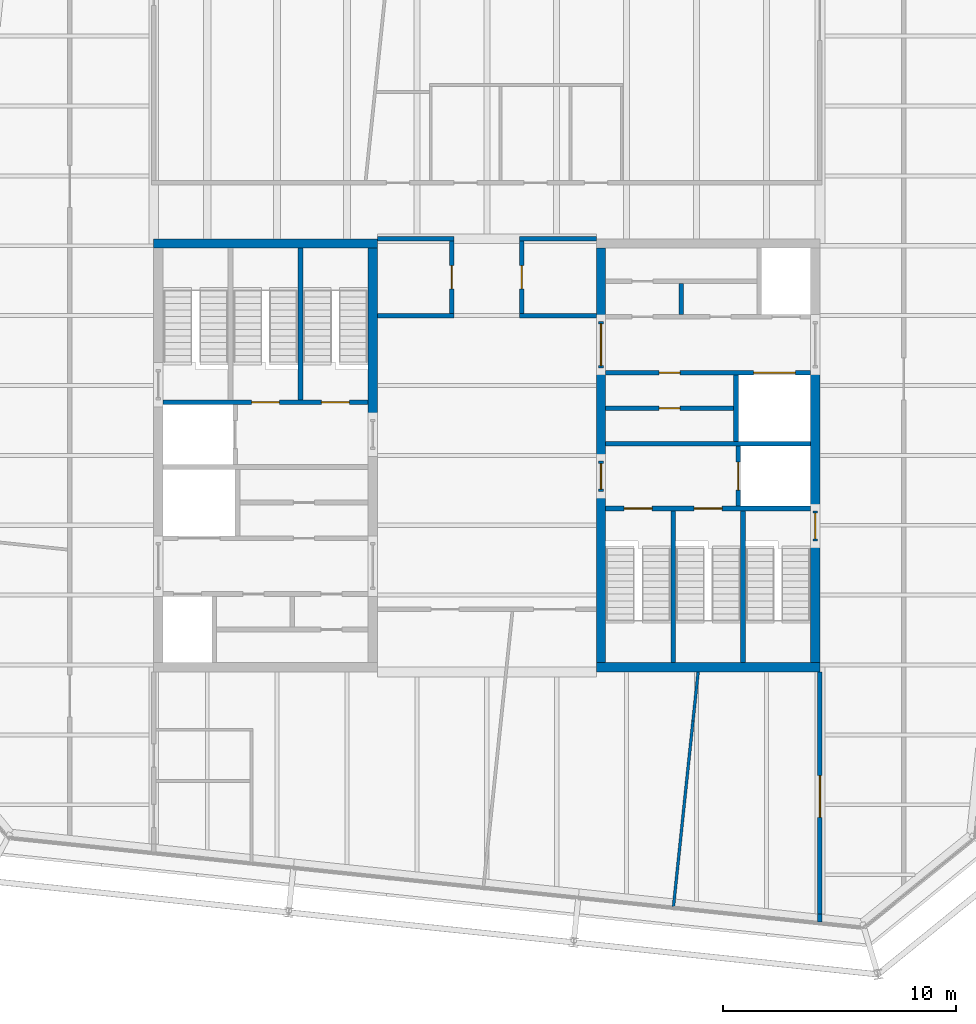
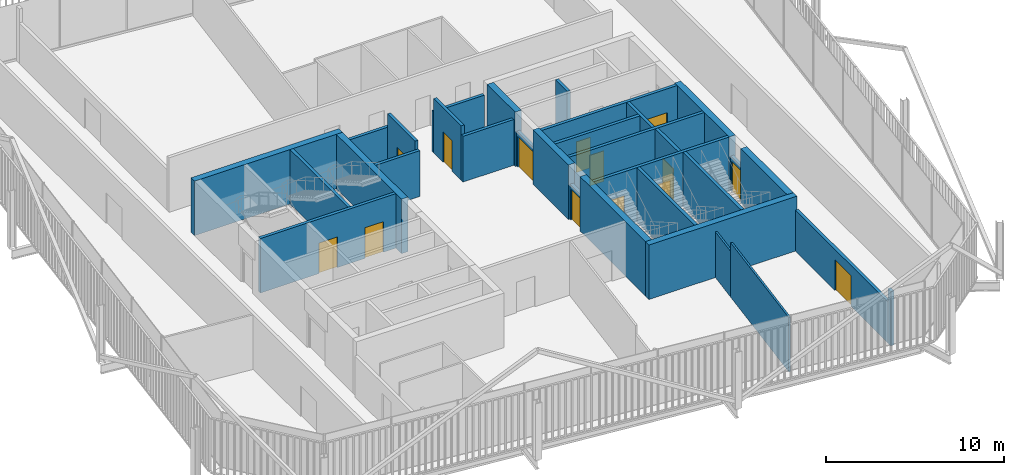
# One storey, part 18 of 21: 32 walls, 14 doors, 14 openings.
"""IFC4 building model written with IfcOpenShell, lengths in metres."""

from ifc_helpers import new_model, si_unit, direction, frame, frame_2d, origin, place, context, subcontext, project, spatial, rectangle, extrude, material, layer, layer_set, type_object, element, fill, save


model = new_model("IFC4")

# Units and contexts
model_context = context("Model", 3, precision=1e-05, world=origin(), true_north=direction((0.0, 1.0)))
body_context = subcontext(model_context, "Body", "Model", "MODEL_VIEW")
ifc_project = project(units=[si_unit("LENGTHUNIT", "METRE"), si_unit("AREAUNIT", "SQUARE_METRE"), si_unit("VOLUMEUNIT", "CUBIC_METRE"), si_unit("PLANEANGLEUNIT", "RADIAN"), si_unit("MASSUNIT", "GRAM", prefix="KILO")], contexts=[model_context])

# Site, building, storey
site_placement = place(None, origin())
site = spatial("IfcSite", under=ifc_project, at=site_placement, CompositionType="ELEMENT")
building_placement = place(site_placement, origin())
building = spatial("IfcBuilding", under=site, at=building_placement, Name="Millrace Tower", CompositionType="ELEMENT")
storey_placement = place(building_placement, frame((0.0, 0.0, 318.699951171875)))
storey = spatial("IfcBuildingStorey", under=building, at=storey_placement, Name="L73", CompositionType="ELEMENT", Elevation=318.699951171875)

# Walls
ifc_material_1 = material(Name="Concrete C60", Category="concrete")
ifc_layer_1 = layer(ifc_material_1, 0.39990234375)
ifc_layer_set_1 = layer_set([ifc_layer_1], Name="Concrete C60")
wall_type_1 = type_object("IfcWallType", Name="Core wall 400 Concrete C60", PredefinedType="SHEAR", material=ifc_layer_set_1)
wall_1_placement = place(storey_placement, frame((-14.300048828125, 9.10009765625, 0.0), z_axis=(0.0, 0.0, 1.0), x_axis=(1.0, 0.0, 0.0)))
element("IfcWall", 1, at=wall_1_placement, inside=storey, type_object=wall_type_1, Name="Core wall W L73", PredefinedType="SHEAR", context=body_context, shape_type="SweptSolid", body=[
    extrude(rectangle(XDim=9.60009765625, YDim=0.39990234375, at=frame_2d((4.800048828125, 0.0))), origin(), (0.0, 0.0, 1.0), 3.739990234375),
])
wall_2_placement = place(storey_placement, frame((-4.89990234375, 1.550048828125, 0.0), z_axis=(0.0, 0.0, 1.0), x_axis=(0.0, 1.0, 0.0)))
element("IfcWall", 2, at=wall_2_placement, inside=storey, type_object=wall_type_1, Name="Core wall W L73", PredefinedType="SHEAR", context=body_context, shape_type="SweptSolid", body=[
    extrude(rectangle(XDim=7.349853515625, YDim=0.39990234375, at=frame_2d((3.6748046875, 0.0))), origin(), (0.0, 0.0, 1.0), 3.739990234375),
])
wall_3_placement = place(storey_placement, frame((14.300048828125, -9.10009765625, 0.0), z_axis=(0.0, 0.0, 1.0), x_axis=(-1.0, 0.0, 0.0)))
element("IfcWall", 3, at=wall_3_placement, inside=storey, type_object=wall_type_1, Name="Core wall E L73", PredefinedType="SHEAR", context=body_context, shape_type="SweptSolid", body=[
    extrude(rectangle(XDim=9.60009765625, YDim=0.39990234375, at=frame_2d((4.800048828125, 0.0))), origin(), (0.0, 0.0, 1.0), 3.739990234375),
])
wall_4_placement = place(storey_placement, frame((14.10009765625, 3.75, 0.0), z_axis=(0.0, 0.0, 1.0), x_axis=(0.0, -1.0, 0.0)))
element("IfcWall", 4, at=wall_4_placement, inside=storey, type_object=wall_type_1, Name="Core wall E L73", PredefinedType="SHEAR", context=body_context, shape_type="SweptSolid", body=[
    extrude(rectangle(XDim=6.1298828125, YDim=0.39990234375, at=frame_2d((3.06494140625, 0.0))), origin(), (0.0, 0.0, 1.0), 3.739990234375),
])
wall_5_placement = place(storey_placement, frame((14.10009765625, -3.679931640625, 0.0), z_axis=(0.0, 0.0, 1.0), x_axis=(0.0, -1.0, 0.0)))
element("IfcWall", 5, at=wall_5_placement, inside=storey, type_object=wall_type_1, Name="Core wall E L73", PredefinedType="SHEAR", context=body_context, shape_type="SweptSolid", body=[
    extrude(rectangle(XDim=5.219970703125, YDim=0.39990234375, at=frame_2d((2.60986328125, 0.0))), origin(), (0.0, 0.0, 1.0), 3.739990234375),
])
wall_6_placement = place(storey_placement, frame((4.89990234375, 8.89990234375, 0.0), z_axis=(0.0, 0.0, 1.0), x_axis=(0.0, -1.0, 0.0)))
element("IfcWall", 6, at=wall_6_placement, inside=storey, type_object=wall_type_1, Name="Core wall E L73", PredefinedType="SHEAR", context=body_context, shape_type="SweptSolid", body=[
    extrude(rectangle(XDim=3.14990234375, YDim=0.39990234375, at=frame_2d((1.574951171875, 0.0))), origin(), (0.0, 0.0, 1.0), 3.739990234375),
])
wall_7_placement = place(storey_placement, frame((4.89990234375, 3.75, 0.0), z_axis=(0.0, 0.0, 1.0), x_axis=(0.0, -1.0, 0.0)))
element("IfcWall", 7, at=wall_7_placement, inside=storey, type_object=wall_type_1, Name="Core wall E L73", PredefinedType="SHEAR", context=body_context, shape_type="SweptSolid", body=[
    extrude(rectangle(XDim=4.0, YDim=0.39990234375, at=frame_2d((2.0, 0.0))), origin(), (0.0, 0.0, 1.0), 3.739990234375),
])
wall_8_placement = place(storey_placement, frame((4.89990234375, -1.550048828125, 0.0), z_axis=(0.0, 0.0, 1.0), x_axis=(0.0, -1.0, 0.0)))
element("IfcWall", 8, at=wall_8_placement, inside=storey, type_object=wall_type_1, Name="Core wall E L73", PredefinedType="SHEAR", context=body_context, shape_type="SweptSolid", body=[
    extrude(rectangle(XDim=7.349853515625, YDim=0.39990234375, at=frame_2d((3.6748046875, 0.0))), origin(), (0.0, 0.0, 1.0), 3.739990234375),
])
ifc_material_2 = material(Name="Masonry partition, fire-rated", Category="masonry")
ifc_layer_2 = layer(ifc_material_2, 0.199951171875)
ifc_layer_set_2 = layer_set([ifc_layer_2], Name="Masonry partition, fire-rated")
wall_type_2 = type_object("IfcWallType", Name="Corridor wall 200", PredefinedType="PARTITIONING", material=ifc_layer_set_2)
for number, where, z_axis, x_axis, name in (
    (9, (-4.699951171875, 6.0, 0.0), (0.0, 0.0, 1.0), (1.0, 0.0, 0.0), "Corridor wall L73"),
    (10, (1.39990234375, 6.0, 0.0), (0.0, 0.0, 1.0), (1.0, 0.0, 0.0), "Corridor wall L73"),
):
    element("IfcWall", number, at=place(storey_placement, frame(where, z_axis=z_axis, x_axis=x_axis)), inside=storey, type_object=wall_type_2, Name=name, PredefinedType="PARTITIONING", context=body_context, shape_type="SweptSolid", body=[
        extrude(rectangle(XDim=3.300048828125, YDim=0.199951171875, at=frame_2d((1.64990234375, 0.0))), origin(), (0.0, 0.0, 1.0), 3.140625),
    ])
for number, where, z_axis, x_axis, name in (
    (11, (-4.699951171875, 9.300048828125, 0.0), (0.0, 0.0, 1.0), (1.0, 0.0, 0.0), "Corridor wall L73"),
    (12, (1.39990234375, 9.300048828125, 0.0), (0.0, 0.0, 1.0), (1.0, 0.0, 0.0), "Corridor wall L73"),
):
    element("IfcWall", number, at=place(storey_placement, frame(where, z_axis=z_axis, x_axis=x_axis)), inside=storey, type_object=wall_type_2, Name=name, PredefinedType="PARTITIONING", context=body_context, shape_type="SweptSolid", body=[
        extrude(rectangle(XDim=3.300048828125, YDim=0.199951171875, at=frame_2d((1.64990234375, 0.0))), origin(), (0.0, 0.0, 1.0), 2.81298828125),
    ])
wall_9_placement = place(storey_placement, frame((14.300048828125, -20.037353515625, 0.0), z_axis=(0.0, 0.0, 1.0), x_axis=(0.0, 1.0, 0.0)))
element("IfcWall", 13, at=wall_9_placement, inside=storey, type_object=wall_type_2, Name="Corridor wall L73", PredefinedType="PARTITIONING", context=body_context, shape_type="SweptSolid", body=[
    extrude(rectangle(XDim=0.339111328125, YDim=0.199951171875, at=frame_2d((0.16943359375, 0.0))), origin(), (0.0, 0.0, 1.0), 3.739990234375),
])

# Wall, opening, door
wall_10_placement = place(storey_placement, frame((14.300048828125, -19.6982421875, 0.0), z_axis=(0.0, 0.0, 1.0), x_axis=(0.0, 1.0, 0.0)))
wall_10 = element("IfcWall", 14, at=wall_10_placement, inside=storey, type_object=wall_type_2, Name="Corridor wall L73", PredefinedType="PARTITIONING", context=body_context, shape_type="SweptSolid", body=[
    extrude(rectangle(XDim=10.398193359375, YDim=0.199951171875, at=frame_2d((5.19921875, 0.0))), origin(), (0.0, 0.0, 1.0), 2.81298828125),
])
opening_1_placement = place(wall_10_placement, frame((4.15478515625, 0.0, 0.0)))
opening_1 = element("IfcOpeningElement", 15, at=opening_1_placement, cuts=wall_10, Name="Opening 73-P013", PredefinedType="OPENING", context=body_context, shape_type="SweptSolid", body=[
    extrude(rectangle(XDim=1.800048828125, YDim=2.10009765625, at=frame_2d((0.89990234375, 1.050048828125))), frame((0.0, 0.10986328125, 0.0), z_axis=(0.0, -1.0, 0.0), x_axis=(1.0, 0.0, 0.0)), (0.0, 0.0, 1.0), 0.219970703125),
])
ifc_material_3 = material(Name="Steel door set, fire-rated", Category="steel")
door_type_1 = type_object("IfcDoorType", Name="Corridor door 1800 x 2100", OperationType="DOUBLE_DOOR_SINGLE_SWING", PredefinedType="DOOR", material=ifc_material_3)
door_1_placement = place(opening_1_placement, origin())
door_1 = element("IfcDoor", 16, at=door_1_placement, inside=storey, type_object=door_type_1, Name="Door 73-P013", OperationType="DOUBLE_DOOR_SINGLE_SWING", OverallHeight=2.10009765625, OverallWidth=1.800048828125, PredefinedType="DOOR", context=body_context, shape_type="SweptSolid", body=[
    extrude(rectangle(XDim=1.800048828125, YDim=2.10009765625, at=frame_2d((0.89990234375, 1.050048828125))), frame((0.0, 0.02490234375, 0.0), z_axis=(0.0, -1.0, 0.0), x_axis=(1.0, 0.0, 0.0)), (0.0, 0.0, 1.0), 0.050048828125),
])
fill(opening_1, door_1)

wall_11_placement = place(storey_placement, frame((1.5, 6.10009765625, 0.0), z_axis=(0.0, 0.0, 1.0), x_axis=(0.0, 1.0, 0.0)))
wall_11 = element("IfcWall", 17, at=wall_11_placement, inside=storey, type_object=wall_type_2, Name="Corridor wall L73", PredefinedType="PARTITIONING", context=body_context, shape_type="SweptSolid", body=[
    extrude(rectangle(XDim=3.099853515625, YDim=0.199951171875, at=frame_2d((1.5498046875, 0.0))), origin(), (0.0, 0.0, 1.0), 3.739990234375),
])
opening_2_placement = place(wall_11_placement, frame((1.050048828125, 0.0, 0.0)))
opening_2 = element("IfcOpeningElement", 18, at=opening_2_placement, cuts=wall_11, Name="Opening 73-P002", PredefinedType="OPENING", context=body_context, shape_type="SweptSolid", body=[
    extrude(rectangle(XDim=1.0, YDim=2.10009765625, at=frame_2d((0.5, 1.050048828125))), frame((0.0, 0.10986328125, 0.0), z_axis=(0.0, -1.0, 0.0), x_axis=(1.0, 0.0, 0.0)), (0.0, 0.0, 1.0), 0.219970703125),
])
ifc_material_4 = material(Name="Steel door set, fire-rated", Category="steel")
door_type_2 = type_object("IfcDoorType", Name="Corridor door 1000 x 2100", OperationType="SINGLE_SWING_LEFT", PredefinedType="DOOR", material=ifc_material_4)
door_2_placement = place(opening_2_placement, frame((1.0, 0.0, 0.0), z_axis=(0.0, 0.0, 1.0), x_axis=(-1.0, 0.0, 0.0)))
door_2 = element("IfcDoor", 19, at=door_2_placement, inside=storey, type_object=door_type_2, Name="Door 73-P002", OperationType="SINGLE_SWING_RIGHT", OverallHeight=2.10009765625, OverallWidth=1.0, PredefinedType="DOOR", context=body_context, shape_type="SweptSolid", body=[
    extrude(rectangle(XDim=1.0, YDim=2.10009765625, at=frame_2d((0.5, 1.050048828125))), frame((0.0, 0.02490234375, 0.0), z_axis=(0.0, -1.0, 0.0), x_axis=(1.0, 0.0, 0.0)), (0.0, 0.0, 1.0), 0.050048828125),
])
fill(opening_2, door_2)

wall_12_placement = place(storey_placement, frame((-1.5, 6.10009765625, 0.0), z_axis=(0.0, 0.0, 1.0), x_axis=(0.0, 1.0, 0.0)))
wall_12 = element("IfcWall", 20, at=wall_12_placement, inside=storey, type_object=wall_type_2, Name="Corridor wall L73", PredefinedType="PARTITIONING", context=body_context, shape_type="SweptSolid", body=[
    extrude(rectangle(XDim=3.099853515625, YDim=0.199951171875, at=frame_2d((1.5498046875, 0.0))), origin(), (0.0, 0.0, 1.0), 3.739990234375),
])
opening_3_placement = place(wall_12_placement, frame((1.050048828125, 0.0, 0.0)))
opening_3 = element("IfcOpeningElement", 21, at=opening_3_placement, cuts=wall_12, Name="Opening 73-P001", PredefinedType="OPENING", context=body_context, shape_type="SweptSolid", body=[
    extrude(rectangle(XDim=1.0, YDim=2.10009765625, at=frame_2d((0.5, 1.050048828125))), frame((0.0, 0.10986328125, 0.0), z_axis=(0.0, -1.0, 0.0), x_axis=(1.0, 0.0, 0.0)), (0.0, 0.0, 1.0), 0.219970703125),
])
door_3_placement = place(opening_3_placement, origin())
door_3 = element("IfcDoor", 22, at=door_3_placement, inside=storey, type_object=door_type_2, Name="Door 73-P001", OperationType="SINGLE_SWING_LEFT", OverallHeight=2.10009765625, OverallWidth=1.0, PredefinedType="DOOR", context=body_context, shape_type="SweptSolid", body=[
    extrude(rectangle(XDim=1.0, YDim=2.10009765625, at=frame_2d((0.5, 1.050048828125))), frame((0.0, 0.02490234375, 0.0), z_axis=(0.0, -1.0, 0.0), x_axis=(1.0, 0.0, 0.0)), (0.0, 0.0, 1.0), 0.050048828125),
])
fill(opening_3, door_3)

# Wall, openings, doors
ifc_material_5 = material(Name="Masonry partition, fire-rated", Category="masonry")
ifc_layer_3 = layer(ifc_material_5, 0.199951171875)
ifc_layer_set_3 = layer_set([ifc_layer_3], Name="Masonry partition, fire-rated")
wall_type_3 = type_object("IfcWallType", Name="Lift shaft wall 200", PredefinedType="PARTITIONING", material=ifc_layer_set_3)
wall_13_placement = place(storey_placement, frame((13.89990234375, 3.550048828125, 0.0), z_axis=(0.0, 0.0, 1.0), x_axis=(-1.0, 0.0, 0.0)))
wall_13 = element("IfcWall", 23, at=wall_13_placement, inside=storey, type_object=wall_type_3, Name="Lift shaft wall E L73", PredefinedType="PARTITIONING", context=body_context, shape_type="SweptSolid", body=[
    extrude(rectangle(XDim=8.7998046875, YDim=0.199951171875, at=frame_2d((4.39990234375, 0.0))), origin(), (0.0, 0.0, 1.0), 3.739990234375),
])
opening_4_placement = place(wall_13_placement, frame((0.64990234375, 0.0, 0.0)))
opening_4 = element("IfcOpeningElement", 24, at=opening_4_placement, cuts=wall_13, Name="Opening 73-LD13", PredefinedType="OPENING", context=body_context, shape_type="SweptSolid", body=[
    extrude(rectangle(XDim=1.800048828125, YDim=2.10009765625, at=frame_2d((0.89990234375, 1.050048828125))), frame((0.0, 0.10986328125, 0.0), z_axis=(0.0, -1.0, 0.0), x_axis=(1.0, 0.0, 0.0)), (0.0, 0.0, 1.0), 0.219970703125),
])
opening_5_placement = place(wall_13_placement, frame((5.60009765625, 0.0, 0.0)))
opening_5 = element("IfcOpeningElement", 25, at=opening_5_placement, cuts=wall_13, Name="Opening 73-C019", PredefinedType="OPENING", context=body_context, shape_type="SweptSolid", body=[
    extrude(rectangle(XDim=0.89990234375, YDim=2.10009765625, at=frame_2d((0.449951171875, 1.050048828125))), frame((0.0, 0.10986328125, 0.0), z_axis=(0.0, -1.0, 0.0), x_axis=(1.0, 0.0, 0.0)), (0.0, 0.0, 1.0), 0.219970703125),
])
ifc_material_6 = material(Name="Stainless steel, fire-rated", Category="steel")
door_type_3 = type_object("IfcDoorType", Name="Lift landing door 1800 x 2100", OperationType="DOUBLE_DOOR_SLIDING", PredefinedType="DOOR", material=ifc_material_6)
door_4_placement = place(opening_4_placement, origin())
door_4 = element("IfcDoor", 26, at=door_4_placement, inside=storey, type_object=door_type_3, Name="Lift landing door LF13 L73", OperationType="DOUBLE_DOOR_SLIDING", OverallHeight=2.10009765625, OverallWidth=1.800048828125, PredefinedType="DOOR", context=body_context, shape_type="SweptSolid", body=[
    extrude(rectangle(XDim=1.800048828125, YDim=2.10009765625, at=frame_2d((0.89990234375, 1.050048828125))), frame((0.0, 0.02490234375, 0.0), z_axis=(0.0, -1.0, 0.0), x_axis=(1.0, 0.0, 0.0)), (0.0, 0.0, 1.0), 0.050048828125),
])
fill(opening_4, door_4)
ifc_material_7 = material(Name="Steel door, fire-rated", Category="steel")
door_type_4 = type_object("IfcDoorType", Name="Service room door 900 x 2100", OperationType="SINGLE_SWING_LEFT", PredefinedType="DOOR", material=ifc_material_7)
door_5_placement = place(opening_5_placement, frame((0.89990234375, 0.0, 0.0), z_axis=(0.0, 0.0, 1.0), x_axis=(-1.0, 0.0, 0.0)))
door_5 = element("IfcDoor", 27, at=door_5_placement, inside=storey, type_object=door_type_4, Name="Service room door 73-C019", OperationType="SINGLE_SWING_LEFT", OverallHeight=2.10009765625, OverallWidth=0.89990234375, PredefinedType="DOOR", context=body_context, shape_type="SweptSolid", body=[
    extrude(rectangle(XDim=0.89990234375, YDim=2.10009765625, at=frame_2d((0.449951171875, 1.050048828125))), frame((0.0, 0.02490234375, 0.0), z_axis=(0.0, -1.0, 0.0), x_axis=(1.0, 0.0, 0.0)), (0.0, 0.0, 1.0), 0.050048828125),
])
fill(opening_5, door_5)

# Wall
wall_14_placement = place(storey_placement, frame((13.89990234375, 0.5, 0.0), z_axis=(0.0, 0.0, 1.0), x_axis=(-1.0, 0.0, 0.0)))
element("IfcWall", 28, at=wall_14_placement, inside=storey, type_object=wall_type_3, Name="Lift shaft wall E L73", PredefinedType="PARTITIONING", context=body_context, shape_type="SweptSolid", body=[
    extrude(rectangle(XDim=8.7998046875, YDim=0.199951171875, at=frame_2d((4.39990234375, 0.0))), origin(), (0.0, 0.0, 1.0), 3.739990234375),
])

# Wall, opening, door
wall_15_placement = place(storey_placement, frame((10.800048828125, 0.39990234375, 0.0), z_axis=(0.0, 0.0, 1.0), x_axis=(0.0, -1.0, 0.0)))
wall_15 = element("IfcWall", 29, at=wall_15_placement, inside=storey, type_object=wall_type_3, Name="Lift shaft wall E L73", PredefinedType="PARTITIONING", context=body_context, shape_type="SweptSolid", body=[
    extrude(rectangle(XDim=2.579833984375, YDim=0.199951171875, at=frame_2d((1.2900390625, 0.0))), origin(), (0.0, 0.0, 1.0), 3.739990234375),
])
opening_6_placement = place(wall_15_placement, frame((0.68994140625, 0.0, 0.0)))
opening_6 = element("IfcOpeningElement", 30, at=opening_6_placement, cuts=wall_15, Name="Opening 73-LD16", PredefinedType="OPENING", context=body_context, shape_type="SweptSolid", body=[
    extrude(rectangle(XDim=1.199951171875, YDim=2.10009765625, at=frame_2d((0.60009765625, 1.050048828125))), frame((0.0, 0.10986328125, 0.0), z_axis=(0.0, -1.0, 0.0), x_axis=(1.0, 0.0, 0.0)), (0.0, 0.0, 1.0), 0.219970703125),
])
ifc_material_8 = material(Name="Stainless steel, fire-rated", Category="steel")
door_type_5 = type_object("IfcDoorType", Name="Lift landing door 1200 x 2100", OperationType="DOUBLE_DOOR_SLIDING", PredefinedType="DOOR", material=ifc_material_8)
door_6_placement = place(opening_6_placement, origin())
door_6 = element("IfcDoor", 31, at=door_6_placement, inside=storey, type_object=door_type_5, Name="Lift landing door LF16 L73", OperationType="DOUBLE_DOOR_SLIDING", OverallHeight=2.10009765625, OverallWidth=1.199951171875, PredefinedType="DOOR", context=body_context, shape_type="SweptSolid", body=[
    extrude(rectangle(XDim=1.199951171875, YDim=2.10009765625, at=frame_2d((0.60009765625, 1.050048828125))), frame((0.0, 0.02490234375, 0.0), z_axis=(0.0, -1.0, 0.0), x_axis=(1.0, 0.0, 0.0)), (0.0, 0.0, 1.0), 0.050048828125),
])
fill(opening_6, door_6)

# Wall
wall_16_placement = place(storey_placement, frame((10.699951171875, 3.449951171875, 0.0), z_axis=(0.0, 0.0, 1.0), x_axis=(0.0, -1.0, 0.0)))
element("IfcWall", 32, at=wall_16_placement, inside=storey, type_object=wall_type_3, Name="Lift shaft wall E L73", PredefinedType="PARTITIONING", context=body_context, shape_type="SweptSolid", body=[
    extrude(rectangle(XDim=2.849853515625, YDim=0.199951171875, at=frame_2d((1.4248046875, 0.0))), origin(), (0.0, 0.0, 1.0), 3.739990234375),
])

# Wall, opening, door
ifc_material_9 = material(Name="Masonry partition, fire-rated", Category="masonry")
ifc_layer_4 = layer(ifc_material_9, 0.199951171875)
ifc_layer_set_4 = layer_set([ifc_layer_4], Name="Masonry partition, fire-rated")
wall_type_4 = type_object("IfcWallType", Name="Lobby wall 200", PredefinedType="PARTITIONING", material=ifc_layer_set_4)
wall_17_placement = place(storey_placement, frame((4.89990234375, 5.75, 0.0), z_axis=(0.0, 0.0, 1.0), x_axis=(0.0, -1.0, 0.0)))
wall_17 = element("IfcWall", 33, at=wall_17_placement, inside=storey, type_object=wall_type_4, Name="Lobby wall E L73", PredefinedType="PARTITIONING", context=body_context, shape_type="SweptSolid", body=[
    extrude(rectangle(XDim=2.0, YDim=0.199951171875, at=frame_2d((1.0, 0.0))), origin(), (0.0, 0.0, 1.0), 2.400146484375),
])
opening_7_placement = place(wall_17_placement, frame((0.10009765625, 0.0, 0.0)))
opening_7 = element("IfcOpeningElement", 34, at=opening_7_placement, cuts=wall_17, Name="Opening 73-C014", PredefinedType="OPENING", context=body_context, shape_type="SweptSolid", body=[
    extrude(rectangle(XDim=1.800048828125, YDim=2.10009765625, at=frame_2d((0.89990234375, 1.050048828125))), frame((0.0, 0.10986328125, 0.0), z_axis=(0.0, -1.0, 0.0), x_axis=(1.0, 0.0, 0.0)), (0.0, 0.0, 1.0), 0.219970703125),
])
ifc_material_10 = material(Name="Steel door, fire-rated", Category="steel")
door_type_6 = type_object("IfcDoorType", Name="Lobby door 1800 x 2100", OperationType="DOUBLE_DOOR_SINGLE_SWING", PredefinedType="DOOR", material=ifc_material_10)
door_7_placement = place(opening_7_placement, frame((1.800048828125, 0.0, 0.0), z_axis=(0.0, 0.0, 1.0), x_axis=(-1.0, 0.0, 0.0)))
door_7 = element("IfcDoor", 35, at=door_7_placement, inside=storey, type_object=door_type_6, Name="Lobby door 73-C014", OperationType="DOUBLE_DOOR_SINGLE_SWING", OverallHeight=2.10009765625, OverallWidth=1.800048828125, PredefinedType="DOOR", context=body_context, shape_type="SweptSolid", body=[
    extrude(rectangle(XDim=1.800048828125, YDim=2.10009765625, at=frame_2d((0.89990234375, 1.050048828125))), frame((0.0, 0.02490234375, 0.0), z_axis=(0.0, -1.0, 0.0), x_axis=(1.0, 0.0, 0.0)), (0.0, 0.0, 1.0), 0.050048828125),
])
fill(opening_7, door_7)

wall_18_placement = place(storey_placement, frame((4.89990234375, -0.25, 0.0), z_axis=(0.0, 0.0, 1.0), x_axis=(0.0, -1.0, 0.0)))
wall_18 = element("IfcWall", 36, at=wall_18_placement, inside=storey, type_object=wall_type_4, Name="Lobby wall E L73", PredefinedType="PARTITIONING", context=body_context, shape_type="SweptSolid", body=[
    extrude(rectangle(XDim=1.300048828125, YDim=0.199951171875, at=frame_2d((0.64990234375, 0.0))), origin(), (0.0, 0.0, 1.0), 2.400146484375),
])
opening_8_placement = place(wall_18_placement, frame((0.10009765625, 0.0, 0.0)))
opening_8 = element("IfcOpeningElement", 37, at=opening_8_placement, cuts=wall_18, Name="Opening 73-C015", PredefinedType="OPENING", context=body_context, shape_type="SweptSolid", body=[
    extrude(rectangle(XDim=1.10009765625, YDim=2.10009765625, at=frame_2d((0.550048828125, 1.050048828125))), frame((0.0, 0.10986328125, 0.0), z_axis=(0.0, -1.0, 0.0), x_axis=(1.0, 0.0, 0.0)), (0.0, 0.0, 1.0), 0.219970703125),
])
ifc_material_11 = material(Name="Steel door, fire-rated", Category="steel")
door_type_7 = type_object("IfcDoorType", Name="Lobby door 1100 x 2100", OperationType="SINGLE_SWING_LEFT", PredefinedType="DOOR", material=ifc_material_11)
door_8_placement = place(opening_8_placement, frame((1.10009765625, 0.0, 0.0), z_axis=(0.0, 0.0, 1.0), x_axis=(-1.0, 0.0, 0.0)))
door_8 = element("IfcDoor", 38, at=door_8_placement, inside=storey, type_object=door_type_7, Name="Lobby door 73-C015", OperationType="SINGLE_SWING_RIGHT", OverallHeight=2.10009765625, OverallWidth=1.10009765625, PredefinedType="DOOR", context=body_context, shape_type="SweptSolid", body=[
    extrude(rectangle(XDim=1.10009765625, YDim=2.10009765625, at=frame_2d((0.550048828125, 1.050048828125))), frame((0.0, 0.02490234375, 0.0), z_axis=(0.0, -1.0, 0.0), x_axis=(1.0, 0.0, 0.0)), (0.0, 0.0, 1.0), 0.050048828125),
])
fill(opening_8, door_8)

# Walls
ifc_material_12 = material(Name="Gypsum board partition")
ifc_layer_5 = layer(ifc_material_12, 0.1201171875)
ifc_layer_set_5 = layer_set([ifc_layer_5], Name="Gypsum board partition")
wall_type_5 = type_object("IfcWallType", Name="Partition wall 120", PredefinedType="PARTITIONING", material=ifc_layer_set_5)
wall_19_placement = place(storey_placement, frame((8.0126953125, -19.376708984375, 0.0), z_axis=(0.0, 0.0, 1.0), x_axis=(0.104553276341, 0.994519287096, 0.0)))
element("IfcWall", 39, at=wall_19_placement, inside=storey, type_object=wall_type_5, Name="Partition wall L73", PredefinedType="PARTITIONING", context=body_context, shape_type="SweptSolid", body=[
    extrude(rectangle(XDim=8.02099609375, YDim=0.1201171875, at=frame_2d((4.010498046875, 0.0))), origin(), (0.0, 0.0, 1.0), 3.739990234375),
])
wall_20_placement = place(storey_placement, frame((8.851318359375, -11.399658203125, 0.0), z_axis=(0.0, 0.0, 1.0), x_axis=(0.1045403102, 0.994520650134, 0.0)))
element("IfcWall", 40, at=wall_20_placement, inside=storey, type_object=wall_type_5, Name="Partition wall L73", PredefinedType="PARTITIONING", context=body_context, shape_type="SweptSolid", body=[
    extrude(rectangle(XDim=2.111083984375, YDim=0.1201171875, at=frame_2d((1.0556640625, 0.0))), origin(), (0.0, 0.0, 1.0), 3.140625),
])
ifc_material_13 = material(Name="Masonry partition, fire-rated", Category="masonry")
ifc_layer_6 = layer(ifc_material_13, 0.199951171875)
ifc_layer_set_6 = layer_set([ifc_layer_6], Name="Masonry partition, fire-rated")
wall_type_6 = type_object("IfcWallType", Name="Room partition 200", PredefinedType="PARTITIONING", material=ifc_layer_set_6)
wall_21_placement = place(storey_placement, frame((8.35009765625, 7.375, 0.0), z_axis=(0.0, 0.0, 1.0), x_axis=(0.0, -1.0, 0.0)))
element("IfcWall", 41, at=wall_21_placement, inside=storey, type_object=wall_type_6, Name="Room partition E L73", PredefinedType="PARTITIONING", context=body_context, shape_type="SweptSolid", body=[
    extrude(rectangle(XDim=1.324951171875, YDim=0.199951171875, at=frame_2d((0.66259765625, 0.0))), origin(), (0.0, 0.0, 1.0), 3.739990234375),
])

# Wall, opening, door
wall_22_placement = place(storey_placement, frame((10.60009765625, 2.02490234375, 0.0), z_axis=(0.0, 0.0, 1.0), x_axis=(-1.0, 0.0, 0.0)))
wall_22 = element("IfcWall", 42, at=wall_22_placement, inside=storey, type_object=wall_type_6, Name="Room partition E L73", PredefinedType="PARTITIONING", context=body_context, shape_type="SweptSolid", body=[
    extrude(rectangle(XDim=5.5, YDim=0.199951171875, at=frame_2d((2.75, 0.0))), origin(), (0.0, 0.0, 1.0), 3.739990234375),
])
opening_9_placement = place(wall_22_placement, frame((2.300048828125, 0.0, 0.0)))
opening_9 = element("IfcOpeningElement", 43, at=opening_9_placement, cuts=wall_22, Name="Opening 73-C020", PredefinedType="OPENING", context=body_context, shape_type="SweptSolid", body=[
    extrude(rectangle(XDim=0.89990234375, YDim=2.10009765625, at=frame_2d((0.449951171875, 1.050048828125))), frame((0.0, 0.10986328125, 0.0), z_axis=(0.0, -1.0, 0.0), x_axis=(1.0, 0.0, 0.0)), (0.0, 0.0, 1.0), 0.219970703125),
])
door_9_placement = place(opening_9_placement, origin())
door_9 = element("IfcDoor", 44, at=door_9_placement, inside=storey, type_object=door_type_4, Name="Service room door 73-C020", OperationType="SINGLE_SWING_RIGHT", OverallHeight=2.10009765625, OverallWidth=0.89990234375, PredefinedType="DOOR", context=body_context, shape_type="SweptSolid", body=[
    extrude(rectangle(XDim=0.89990234375, YDim=2.10009765625, at=frame_2d((0.449951171875, 1.050048828125))), frame((0.0, 0.02490234375, 0.0), z_axis=(0.0, -1.0, 0.0), x_axis=(1.0, 0.0, 0.0)), (0.0, 0.0, 1.0), 0.050048828125),
])
fill(opening_9, door_9)

# Wall, openings, doors
ifc_material_14 = material(Name="Concrete C40", Category="concrete")
ifc_layer_7 = layer(ifc_material_14, 0.199951171875)
ifc_layer_set_7 = layer_set([ifc_layer_7], Name="Concrete C40")
wall_type_7 = type_object("IfcWallType", Name="Stair enclosure wall 200 Concrete C40", PredefinedType="SHEAR", material=ifc_layer_set_7)
wall_23_placement = place(storey_placement, frame((-13.89990234375, 2.280029296875, 0.0), z_axis=(0.0, 0.0, 1.0), x_axis=(1.0, 0.0, 0.0)))
wall_23 = element("IfcWall", 45, at=wall_23_placement, inside=storey, type_object=wall_type_7, Name="Stair enclosure wall W L73", PredefinedType="SHEAR", context=body_context, shape_type="SweptSolid", body=[
    extrude(rectangle(XDim=8.7998046875, YDim=0.199951171875, at=frame_2d((4.39990234375, 0.0))), origin(), (0.0, 0.0, 1.0), 3.739990234375),
])
opening_10_placement = place(wall_23_placement, frame((3.800048828125, 0.0, 0.0)))
opening_10 = element("IfcOpeningElement", 46, at=opening_10_placement, cuts=wall_23, Name="Opening 73-C010", PredefinedType="OPENING", context=body_context, shape_type="SweptSolid", body=[
    extrude(rectangle(XDim=1.199951171875, YDim=2.10009765625, at=frame_2d((0.60009765625, 1.050048828125))), frame((0.0, 0.10986328125, 0.0), z_axis=(0.0, -1.0, 0.0), x_axis=(1.0, 0.0, 0.0)), (0.0, 0.0, 1.0), 0.219970703125),
])
opening_11_placement = place(wall_23_placement, frame((6.800048828125, 0.0, 0.0)))
opening_11 = element("IfcOpeningElement", 47, at=opening_11_placement, cuts=wall_23, Name="Opening 73-C011", PredefinedType="OPENING", context=body_context, shape_type="SweptSolid", body=[
    extrude(rectangle(XDim=1.199951171875, YDim=2.10009765625, at=frame_2d((0.60009765625, 1.050048828125))), frame((0.0, 0.10986328125, 0.0), z_axis=(0.0, -1.0, 0.0), x_axis=(1.0, 0.0, 0.0)), (0.0, 0.0, 1.0), 0.219970703125),
])
ifc_material_15 = material(Name="Steel door, fire-rated", Category="steel")
door_type_8 = type_object("IfcDoorType", Name="Stair door 1200 x 2100", OperationType="SINGLE_SWING_LEFT", PredefinedType="DOOR", material=ifc_material_15)
door_10_placement = place(opening_10_placement, frame((1.199951171875, 0.0, 0.0), z_axis=(0.0, 0.0, 1.0), x_axis=(-1.0, 0.0, 0.0)))
door_10 = element("IfcDoor", 48, at=door_10_placement, inside=storey, type_object=door_type_8, Name="Stair door 73-C010", OperationType="SINGLE_SWING_RIGHT", OverallHeight=2.10009765625, OverallWidth=1.199951171875, PredefinedType="DOOR", context=body_context, shape_type="SweptSolid", body=[
    extrude(rectangle(XDim=1.199951171875, YDim=2.10009765625, at=frame_2d((0.60009765625, 1.050048828125))), frame((0.0, 0.02490234375, 0.0), z_axis=(0.0, -1.0, 0.0), x_axis=(1.0, 0.0, 0.0)), (0.0, 0.0, 1.0), 0.050048828125),
])
fill(opening_10, door_10)
door_11_placement = place(opening_11_placement, frame((1.199951171875, 0.0, 0.0), z_axis=(0.0, 0.0, 1.0), x_axis=(-1.0, 0.0, 0.0)))
door_11 = element("IfcDoor", 49, at=door_11_placement, inside=storey, type_object=door_type_8, Name="Stair door 73-C011", OperationType="SINGLE_SWING_LEFT", OverallHeight=2.10009765625, OverallWidth=1.199951171875, PredefinedType="DOOR", context=body_context, shape_type="SweptSolid", body=[
    extrude(rectangle(XDim=1.199951171875, YDim=2.10009765625, at=frame_2d((0.60009765625, 1.050048828125))), frame((0.0, 0.02490234375, 0.0), z_axis=(0.0, -1.0, 0.0), x_axis=(1.0, 0.0, 0.0)), (0.0, 0.0, 1.0), 0.050048828125),
])
fill(opening_11, door_11)

# Wall
wall_24_placement = place(storey_placement, frame((-8.0, 2.3798828125, 0.0), z_axis=(0.0, 0.0, 1.0), x_axis=(0.0, 1.0, 0.0)))
element("IfcWall", 50, at=wall_24_placement, inside=storey, type_object=wall_type_7, Name="Stair enclosure wall W L73", PredefinedType="SHEAR", context=body_context, shape_type="SweptSolid", body=[
    extrude(rectangle(XDim=6.52001953125, YDim=0.199951171875, at=frame_2d((3.260009765625, 0.0))), origin(), (0.0, 0.0, 1.0), 3.739990234375),
])

# Wall, opening, door
wall_25_placement = place(storey_placement, frame((14.10009765625, -2.3798828125, 0.0), z_axis=(0.0, 0.0, 1.0), x_axis=(0.0, -1.0, 0.0)))
wall_25 = element("IfcWall", 51, at=wall_25_placement, inside=storey, type_object=wall_type_7, Name="Stair enclosure wall E L73", PredefinedType="SHEAR", context=body_context, shape_type="SweptSolid", body=[
    extrude(rectangle(XDim=1.300048828125, YDim=0.199951171875, at=frame_2d((0.64990234375, 0.0))), origin(), (0.0, 0.0, 1.0), 2.400146484375),
])
opening_12_placement = place(wall_25_placement, frame((0.10009765625, 0.0, 0.0)))
opening_12 = element("IfcOpeningElement", 52, at=opening_12_placement, cuts=wall_25, Name="Opening 73-C013", PredefinedType="OPENING", context=body_context, shape_type="SweptSolid", body=[
    extrude(rectangle(XDim=1.10009765625, YDim=2.10009765625, at=frame_2d((0.550048828125, 1.050048828125))), frame((0.0, 0.10986328125, 0.0), z_axis=(0.0, -1.0, 0.0), x_axis=(1.0, 0.0, 0.0)), (0.0, 0.0, 1.0), 0.219970703125),
])
ifc_material_16 = material(Name="Steel door, fire-rated", Category="steel")
door_type_9 = type_object("IfcDoorType", Name="Stair door 1100 x 2100", OperationType="SINGLE_SWING_LEFT", PredefinedType="DOOR", material=ifc_material_16)
door_12_placement = place(opening_12_placement, origin())
door_12 = element("IfcDoor", 53, at=door_12_placement, inside=storey, type_object=door_type_9, Name="Stair door 73-C013", OperationType="SINGLE_SWING_LEFT", OverallHeight=2.10009765625, OverallWidth=1.10009765625, PredefinedType="DOOR", context=body_context, shape_type="SweptSolid", body=[
    extrude(rectangle(XDim=1.10009765625, YDim=2.10009765625, at=frame_2d((0.550048828125, 1.050048828125))), frame((0.0, 0.02490234375, 0.0), z_axis=(0.0, -1.0, 0.0), x_axis=(1.0, 0.0, 0.0)), (0.0, 0.0, 1.0), 0.050048828125),
])
fill(opening_12, door_12)

# Wall, openings, doors
wall_26_placement = place(storey_placement, frame((13.89990234375, -2.280029296875, 0.0), z_axis=(0.0, 0.0, 1.0), x_axis=(-1.0, 0.0, 0.0)))
wall_26 = element("IfcWall", 54, at=wall_26_placement, inside=storey, type_object=wall_type_7, Name="Stair enclosure wall E L73", PredefinedType="SHEAR", context=body_context, shape_type="SweptSolid", body=[
    extrude(rectangle(XDim=8.7998046875, YDim=0.199951171875, at=frame_2d((4.39990234375, 0.0))), origin(), (0.0, 0.0, 1.0), 3.739990234375),
])
opening_13_placement = place(wall_26_placement, frame((3.800048828125, 0.0, 0.0)))
opening_13 = element("IfcOpeningElement", 55, at=opening_13_placement, cuts=wall_26, Name="Opening 73-C021", PredefinedType="OPENING", context=body_context, shape_type="SweptSolid", body=[
    extrude(rectangle(XDim=1.199951171875, YDim=2.10009765625, at=frame_2d((0.60009765625, 1.050048828125))), frame((0.0, 0.10986328125, 0.0), z_axis=(0.0, -1.0, 0.0), x_axis=(1.0, 0.0, 0.0)), (0.0, 0.0, 1.0), 0.219970703125),
])
opening_14_placement = place(wall_26_placement, frame((6.800048828125, 0.0, 0.0)))
opening_14 = element("IfcOpeningElement", 56, at=opening_14_placement, cuts=wall_26, Name="Opening 73-C022", PredefinedType="OPENING", context=body_context, shape_type="SweptSolid", body=[
    extrude(rectangle(XDim=1.199951171875, YDim=2.10009765625, at=frame_2d((0.60009765625, 1.050048828125))), frame((0.0, 0.10986328125, 0.0), z_axis=(0.0, -1.0, 0.0), x_axis=(1.0, 0.0, 0.0)), (0.0, 0.0, 1.0), 0.219970703125),
])
door_13_placement = place(opening_13_placement, frame((1.199951171875, 0.0, 0.0), z_axis=(0.0, 0.0, 1.0), x_axis=(-1.0, 0.0, 0.0)))
door_13 = element("IfcDoor", 57, at=door_13_placement, inside=storey, type_object=door_type_8, Name="Stair door 73-C021", OperationType="SINGLE_SWING_RIGHT", OverallHeight=2.10009765625, OverallWidth=1.199951171875, PredefinedType="DOOR", context=body_context, shape_type="SweptSolid", body=[
    extrude(rectangle(XDim=1.199951171875, YDim=2.10009765625, at=frame_2d((0.60009765625, 1.050048828125))), frame((0.0, 0.02490234375, 0.0), z_axis=(0.0, -1.0, 0.0), x_axis=(1.0, 0.0, 0.0)), (0.0, 0.0, 1.0), 0.050048828125),
])
fill(opening_13, door_13)
door_14_placement = place(opening_14_placement, frame((1.199951171875, 0.0, 0.0), z_axis=(0.0, 0.0, 1.0), x_axis=(-1.0, 0.0, 0.0)))
door_14 = element("IfcDoor", 58, at=door_14_placement, inside=storey, type_object=door_type_8, Name="Stair door 73-C022", OperationType="SINGLE_SWING_LEFT", OverallHeight=2.10009765625, OverallWidth=1.199951171875, PredefinedType="DOOR", context=body_context, shape_type="SweptSolid", body=[
    extrude(rectangle(XDim=1.199951171875, YDim=2.10009765625, at=frame_2d((0.60009765625, 1.050048828125))), frame((0.0, 0.02490234375, 0.0), z_axis=(0.0, -1.0, 0.0), x_axis=(1.0, 0.0, 0.0)), (0.0, 0.0, 1.0), 0.050048828125),
])
fill(opening_14, door_14)

# Walls
for number, where, z_axis, x_axis, name in (
    (59, (11.0, -2.3798828125, 0.0), (0.0, 0.0, 1.0), (0.0, -1.0, 0.0), "Stair enclosure wall E L73"),
    (60, (8.0, -2.3798828125, 0.0), (0.0, 0.0, 1.0), (0.0, -1.0, 0.0), "Stair enclosure wall E L73"),
):
    element("IfcWall", number, at=place(storey_placement, frame(where, z_axis=z_axis, x_axis=x_axis)), inside=storey, type_object=wall_type_7, Name=name, PredefinedType="SHEAR", context=body_context, shape_type="SweptSolid", body=[
        extrude(rectangle(XDim=6.52001953125, YDim=0.199951171875, at=frame_2d((3.260009765625, 0.0))), origin(), (0.0, 0.0, 1.0), 3.739990234375),
    ])

save(model, "model.ifc")
